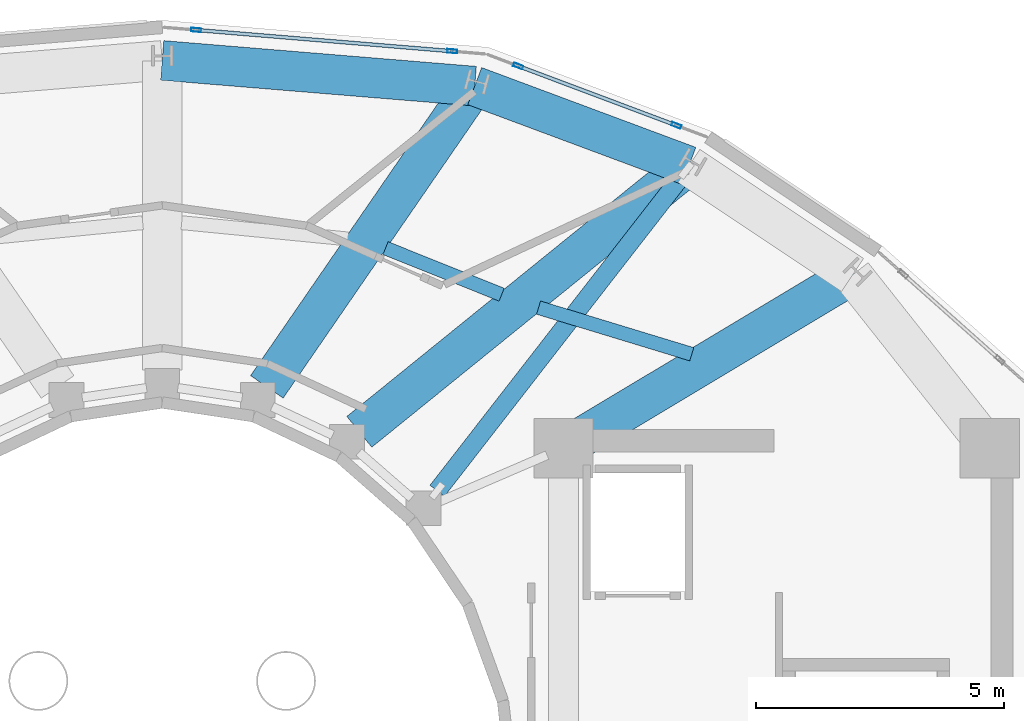
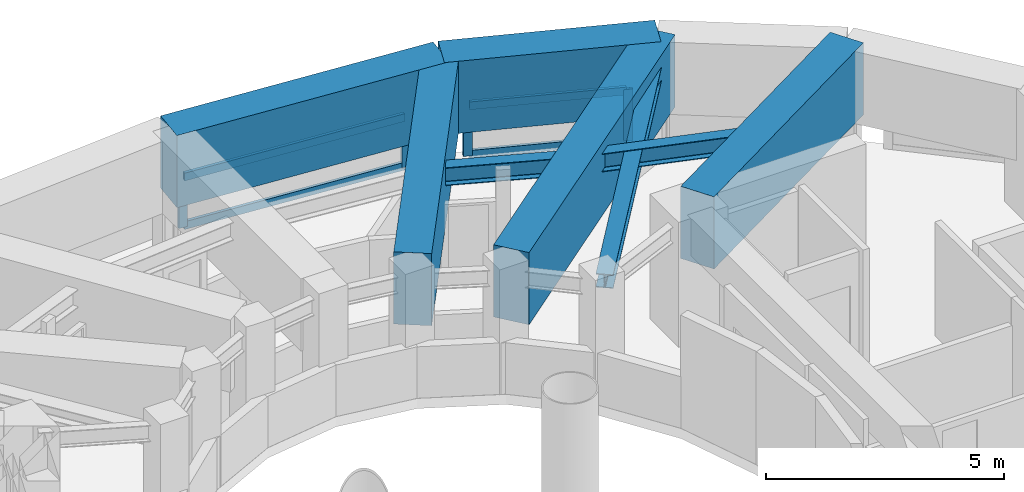
# One storey, part 9 of 17: 9 members, 7 beams, 2 elements without a shape of their own.
"""IFC4 building model written with IfcOpenShell, lengths in metres."""

from ifc_helpers import new_model, si_unit, direction, frame, origin, origin_2d, place, context, subcontext, project, spatial, rectangle, hollow_rectangle, i_section, extrude, material, layer, layer_set, material_profile, profile_set, type_object, element, aggregate, save


model = new_model("IFC4")

# Units and contexts
model_context = context("Model", 3, precision=1e-05, world=origin(), true_north=direction((0.0, 1.0)))
body_context = subcontext(model_context, "Body", "Model", "MODEL_VIEW")
ifc_project = project(units=[si_unit("LENGTHUNIT", "METRE"), si_unit("AREAUNIT", "SQUARE_METRE"), si_unit("VOLUMEUNIT", "CUBIC_METRE"), si_unit("PLANEANGLEUNIT", "RADIAN"), si_unit("MASSUNIT", "GRAM", prefix="KILO")], contexts=[model_context])

# Site, building, storey
site_placement = place(None, origin())
site = spatial("IfcSite", under=ifc_project, at=site_placement, CompositionType="ELEMENT")
building_placement = place(site_placement, origin())
building = spatial("IfcBuilding", under=site, at=building_placement, Name="Solvane Sanctuary Tower", CompositionType="ELEMENT")
storey_placement = place(building_placement, frame((0.0, 0.0, 273.199951171875)))
storey = spatial("IfcBuildingStorey", under=building, at=storey_placement, Name="L83", CompositionType="ELEMENT", Elevation=273.199951171875)

# Beams
ifc_material_1 = material(Name="Steel ASTM A992 Grade 50", Category="steel")
ifc_material_profile_1 = material_profile(ifc_material_1, i_section(OverallWidth=0.280029296875, OverallDepth=0.462890625, WebThickness=0.0107421875, FlangeThickness=0.017333984375, FilletRadius=0.013916015625, at=origin_2d()), Name="W18X76")
ifc_profile_set_1 = profile_set([ifc_material_profile_1], Name="Steel ASTM A992 Grade 50")
beam_type_1 = type_object("IfcBeamType", Name="Beam B-SEC-JOIST W18X76", PredefinedType="JOIST", material=ifc_profile_set_1)
beam_1_placement = place(storey_placement, frame((36.5087890625, 34.23583984375, 2.70654296875), z_axis=(0.928229732521, -0.372007477967, 0.0), x_axis=(0.372007477967, 0.928229732521, 0.0)))
element("IfcBeam", 1, at=beam_1_placement, inside=storey, type_object=beam_type_1, Name="L83 Secondary Circumferential Joist 03-02", PredefinedType="JOIST", context=body_context, shape_type="SweptSolid", body=[
    extrude(i_section(OverallWidth=0.280029296875, OverallDepth=0.462890625, WebThickness=0.0107421875, FlangeThickness=0.017333984375, FilletRadius=0.013916015625, at=origin_2d()), origin(), (0.0, 0.0, 1.0), 2.524658203125),
])
beam_2_placement = place(storey_placement, frame((39.596923828125, 33.034912109375, 2.70654296875), z_axis=(0.956698573482, -0.291080469109, 0.0), x_axis=(0.291080469109, 0.956698573482, 0.0)))
element("IfcBeam", 2, at=beam_2_placement, inside=storey, type_object=beam_type_1, Name="L83 Secondary Circumferential Joist 02-01", PredefinedType="JOIST", context=body_context, shape_type="SweptSolid", body=[
    extrude(i_section(OverallWidth=0.280029296875, OverallDepth=0.462890625, WebThickness=0.0107421875, FlangeThickness=0.017333984375, FilletRadius=0.013916015625, at=origin_2d()), origin(), (0.0, 0.0, 1.0), 3.232421875),
])
ifc_material_2 = material(Name="Concrete C70/85", Category="concrete")
ifc_material_profile_2 = material_profile(ifc_material_2, rectangle(XDim=0.800048828125, YDim=1.85009765625, at=origin_2d()), Name="RC800X1850")
ifc_profile_set_2 = profile_set([ifc_material_profile_2], Name="Concrete C70/85")
beam_type_2 = type_object("IfcBeamType", Name="Beam B-XFER-BLK RC800X1850", PredefinedType="BEAM", material=ifc_profile_set_2)
beam_3_placement = place(storey_placement, frame((40.40869140625, 30.385009765625, 2.275146484375), z_axis=(0.85766296009, 0.514212258595, 0.0), x_axis=(-0.514212258595, 0.85766296009, 0.0)))
element("IfcBeam", 3, at=beam_3_placement, inside=storey, type_object=beam_type_2, Name="L83 Block-Shift Radial Transfer Girder 01A", PredefinedType="BEAM", context=body_context, shape_type="SweptSolid", body=[
    extrude(rectangle(XDim=0.800048828125, YDim=1.85009765625, at=origin_2d()), origin(), (0.0, 0.0, 1.0), 6.45947265625),
])
beam_4_placement = place(storey_placement, frame((35.978759765625, 30.52783203125, 2.275146484375), z_axis=(0.777377081736, 0.629034874067, 0.0), x_axis=(-0.629034874067, 0.777377081736, 0.0)))
element("IfcBeam", 4, at=beam_4_placement, inside=storey, type_object=beam_type_2, Name="L83 Block-Shift Radial Transfer Girder 02A", PredefinedType="BEAM", context=body_context, shape_type="SweptSolid", body=[
    extrude(rectangle(XDim=0.800048828125, YDim=1.85009765625, at=origin_2d()), origin(), (0.0, 0.0, 1.0), 8.556396484375),
])
beam_5_placement = place(storey_placement, frame((34.1123046875, 31.435302734375, 2.275146484375), z_axis=(0.567191526653, 0.823585922715, 0.0), x_axis=(-0.823585922715, 0.567191526653, 0.0)))
element("IfcBeam", 5, at=beam_5_placement, inside=storey, type_object=beam_type_2, Name="L83 Block-Shift Radial Transfer Girder 03A", PredefinedType="BEAM", context=body_context, shape_type="SweptSolid", body=[
    extrude(rectangle(XDim=0.800048828125, YDim=1.85009765625, at=origin_2d()), origin(), (0.0, 0.0, 1.0), 7.377685546875),
])
beam_6_placement = place(storey_placement, frame((32.0, 38.02490234375, 2.275146484375), z_axis=(0.996632195507, -0.082001627294, 0.0), x_axis=(0.082001627294, 0.996632195507, 0.0)))
element("IfcBeam", 6, at=beam_6_placement, inside=storey, type_object=beam_type_2, Name="L83 Perimeter Step Transfer Ring NTC04-NTC03", PredefinedType="BEAM", context=body_context, shape_type="SweptSolid", body=[
    extrude(rectangle(XDim=0.800048828125, YDim=1.85009765625, at=origin_2d()), origin(), (0.0, 0.0, 1.0), 6.32958984375),
])
beam_7_placement = place(storey_placement, frame((38.308349609375, 37.505859375, 2.275146484375), z_axis=(0.937079399513, -0.349116311575, 0.0), x_axis=(0.349116311575, 0.937079399513, 0.0)))
element("IfcBeam", 7, at=beam_7_placement, inside=storey, type_object=beam_type_2, Name="L83 Perimeter Step Transfer Ring NTC03-NTC02", PredefinedType="BEAM", context=body_context, shape_type="SweptSolid", body=[
    extrude(rectangle(XDim=0.800048828125, YDim=1.85009765625, at=origin_2d()), origin(), (0.0, 0.0, 1.0), 4.614013671875),
])

# Member
ifc_material_profile_3 = material_profile(ifc_material_1, i_section(OverallWidth=0.368896484375, OverallDepth=0.35595703125, WebThickness=0.01123046875, FlangeThickness=0.01806640625, FilletRadius=0.02490234375, at=origin_2d()), Name="W14X90")
ifc_profile_set_3 = profile_set([ifc_material_profile_3], Name="Steel ASTM A992 Grade 50")
member_type_1 = type_object("IfcMemberType", Name="Member M-CROWN-TIE W14X90", PredefinedType="CHORD", material=ifc_profile_set_3)
member_1_placement = place(storey_placement, frame((37.552978515625, 29.33984375, 2.540771484375), z_axis=(0.613454062996, 0.789374326697, 0.023712548261), x_axis=(-0.789596346981, 0.613626603754, 0.0)))
element("IfcMember", 8, at=member_1_placement, inside=storey, type_object=member_type_1, Name="L83 Crown Bracing Tie 01", PredefinedType="CHORD", context=body_context, shape_type="SweptSolid", body=[
    extrude(i_section(OverallWidth=0.368896484375, OverallDepth=0.35595703125, WebThickness=0.01123046875, FlangeThickness=0.01806640625, FilletRadius=0.02490234375, at=origin_2d()), origin(), (0.0, 0.0, 1.0), 8.185302734375),
])

# Curtain wall, members
ifc_material_3 = material(Name="Anodised Aluminium 6063-T6", Category="aluminium")
ifc_layer = layer(ifc_material_3, 0.219970703125, Name="Anodised Aluminium 6063-T6")
ifc_layer_set = layer_set([ifc_layer], Name="Anodised Aluminium 6063-T6")
curtain_wall_type = type_object("IfcCurtainWallType", Name="Curtain Wall CW-CROWN", PredefinedType="NOTDEFINED", material=ifc_layer_set)
curtain_wall_1_placement = place(storey_placement, origin())
curtain_wall_1 = element("IfcCurtainWall", 9, at=curtain_wall_1_placement, inside=storey, type_object=curtain_wall_type, Name="L83 Crown Fritted Lantern Curtain Wall 04", PredefinedType="NOTDEFINED")
ifc_material_profile_4 = material_profile(ifc_material_3, hollow_rectangle(XDim=0.074951171875, YDim=0.199951171875, WallThickness=0.00390625, at=origin_2d()), Name="ALU200X75X4")
ifc_profile_set_4 = profile_set([ifc_material_profile_4], Name="Anodised Aluminium 6063-T6")
member_type_2 = type_object("IfcMemberType", Name="Member M-CW-MUL-1 ALU200X75X4", PredefinedType="MULLION", material=ifc_profile_set_4)
member_2_placement = place(storey_placement, frame((42.37939453125, 36.71240234375, 0.0), z_axis=(0.0, 0.0, 1.0), x_axis=(-0.351475292665, -0.936197157999, 0.0)))
member_2 = element("IfcMember", 10, at=member_2_placement, type_object=member_type_2, Name="CW-CROWN mullion 1", PredefinedType="MULLION", context=body_context, shape_type="SweptSolid", body=[
    extrude(hollow_rectangle(XDim=0.074951171875, YDim=0.199951171875, WallThickness=0.00390625, at=origin_2d()), origin(), (0.0, 0.0, 1.0), 1.320068359375),
])
member_3_placement = place(storey_placement, frame((39.18408203125, 37.912109375, 0.0), z_axis=(0.0, 0.0, 1.0), x_axis=(-0.351475292665, -0.936197157999, 0.0)))
member_3 = element("IfcMember", 11, at=member_3_placement, type_object=member_type_2, Name="CW-CROWN mullion 2", PredefinedType="MULLION", context=body_context, shape_type="SweptSolid", body=[
    extrude(hollow_rectangle(XDim=0.074951171875, YDim=0.199951171875, WallThickness=0.00390625, at=origin_2d()), origin(), (0.0, 0.0, 1.0), 1.320068359375),
])

curtain_wall_2_placement = place(storey_placement, origin())
curtain_wall_2 = element("IfcCurtainWall", 12, at=curtain_wall_2_placement, inside=storey, type_object=curtain_wall_type, Name="L83 Crown Fritted Lantern Curtain Wall 05", PredefinedType="NOTDEFINED")
member_4_placement = place(storey_placement, frame((37.855224609375, 38.21044921875, 0.0), z_axis=(0.0, 0.0, 1.0), x_axis=(-0.082636617486, -0.996579745655, 0.0)))
member_4 = element("IfcMember", 13, at=member_4_placement, type_object=member_type_2, Name="CW-CROWN mullion 1", PredefinedType="MULLION", context=body_context, shape_type="SweptSolid", body=[
    extrude(hollow_rectangle(XDim=0.074951171875, YDim=0.199951171875, WallThickness=0.00390625, at=origin_2d()), origin(), (0.0, 0.0, 1.0), 1.320068359375),
])
member_5_placement = place(storey_placement, frame((32.68505859375, 38.63916015625, 0.0), z_axis=(0.0, 0.0, 1.0), x_axis=(-0.082636617486, -0.996579745655, 0.0)))
member_5 = element("IfcMember", 14, at=member_5_placement, type_object=member_type_2, Name="CW-CROWN mullion 2", PredefinedType="MULLION", context=body_context, shape_type="SweptSolid", body=[
    extrude(hollow_rectangle(XDim=0.074951171875, YDim=0.199951171875, WallThickness=0.00390625, at=origin_2d()), origin(), (0.0, 0.0, 1.0), 1.320068359375),
])

# Member
ifc_material_profile_5 = material_profile(ifc_material_3, hollow_rectangle(XDim=0.074951171875, YDim=0.199951171875, WallThickness=0.00390625, at=origin_2d()), Name="ALU200X75X4")
ifc_profile_set_5 = profile_set([ifc_material_profile_5], Name="Anodised Aluminium 6063-T6")
member_type_3 = type_object("IfcMemberType", Name="Member M-CW-TRN-2 ALU200X75X4", PredefinedType="USERDEFINED", material=ifc_profile_set_5)
member_6_placement = place(storey_placement, frame((42.34423828125, 36.7255859375, 0.03759765625), z_axis=(-0.936193859501, 0.351484078491, 0.0), x_axis=(-0.351484078491, -0.936193859501, 0.0)))
member_6 = element("IfcMember", 15, at=member_6_placement, type_object=member_type_3, Name="CW-CROWN transom 1.1", ObjectType="TRANSOM", PredefinedType="USERDEFINED", context=body_context, shape_type="SweptSolid", body=[
    extrude(hollow_rectangle(XDim=0.074951171875, YDim=0.199951171875, WallThickness=0.00390625, at=origin_2d()), origin(), (0.0, 0.0, 1.0), 3.338134765625),
])

member_7_placement = place(storey_placement, frame((42.34423828125, 36.7255859375, 1.282470703125), z_axis=(-0.936193859501, 0.351484078491, 0.0), x_axis=(-0.351484078491, -0.936193859501, 0.0)))
member_7 = element("IfcMember", 16, at=member_7_placement, type_object=member_type_3, Name="CW-CROWN transom 1.2", ObjectType="TRANSOM", PredefinedType="USERDEFINED", context=body_context, shape_type="SweptSolid", body=[
    extrude(hollow_rectangle(XDim=0.074951171875, YDim=0.199951171875, WallThickness=0.00390625, at=origin_2d()), origin(), (0.0, 0.0, 1.0), 3.338134765625),
])

aggregate(curtain_wall_1, [member_2, member_3, member_6, member_7])

member_8_placement = place(storey_placement, frame((37.81787109375, 38.213623046875, 0.03759765625), z_axis=(-0.996581889002, 0.082610765116, 0.0), x_axis=(-0.082610765116, -0.996581889002, 0.0)))
member_8 = element("IfcMember", 17, at=member_8_placement, type_object=member_type_3, Name="CW-CROWN transom 1.1", ObjectType="TRANSOM", PredefinedType="USERDEFINED", context=body_context, shape_type="SweptSolid", body=[
    extrude(hollow_rectangle(XDim=0.074951171875, YDim=0.199951171875, WallThickness=0.00390625, at=origin_2d()), origin(), (0.0, 0.0, 1.0), 5.11279296875),
])

member_9_placement = place(storey_placement, frame((37.81787109375, 38.213623046875, 1.282470703125), z_axis=(-0.996581889002, 0.082610765116, 0.0), x_axis=(-0.082610765116, -0.996581889002, 0.0)))
member_9 = element("IfcMember", 18, at=member_9_placement, type_object=member_type_3, Name="CW-CROWN transom 1.2", ObjectType="TRANSOM", PredefinedType="USERDEFINED", context=body_context, shape_type="SweptSolid", body=[
    extrude(hollow_rectangle(XDim=0.074951171875, YDim=0.199951171875, WallThickness=0.00390625, at=origin_2d()), origin(), (0.0, 0.0, 1.0), 5.11279296875),
])

aggregate(curtain_wall_2, [member_4, member_5, member_8, member_9])

save(model, "model.ifc")
